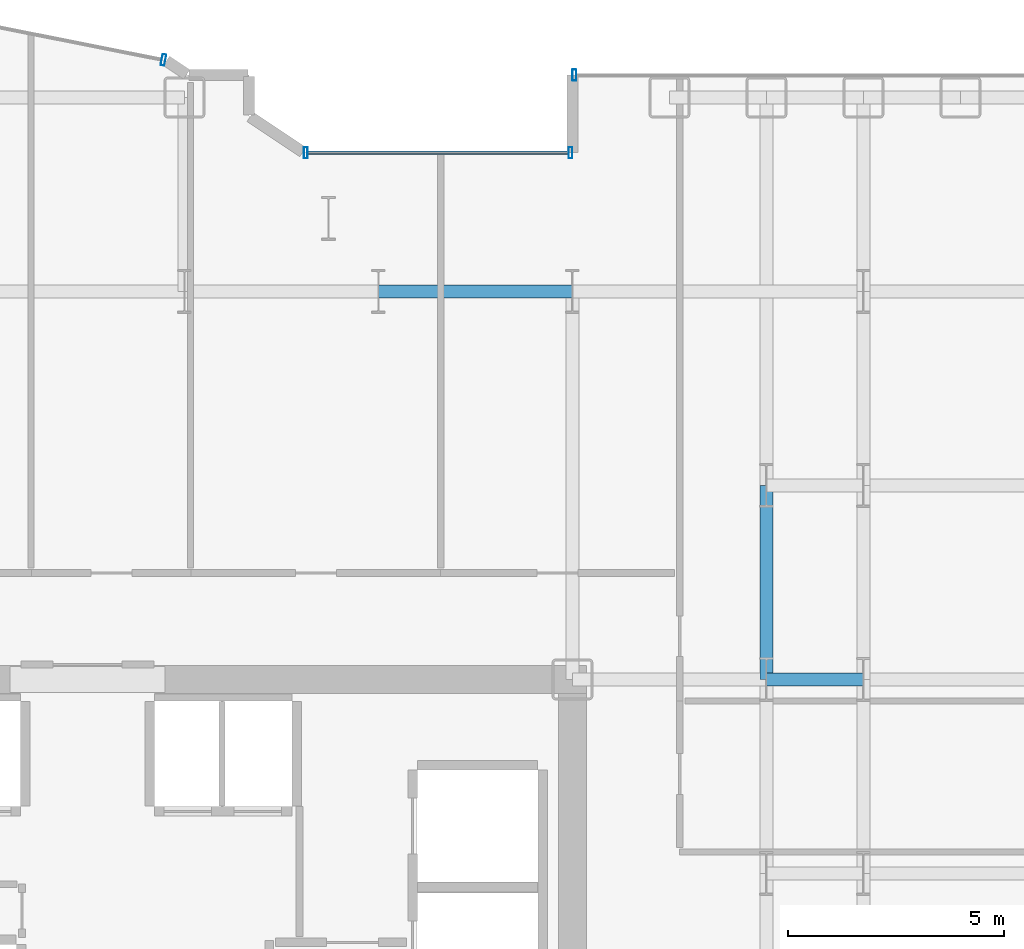
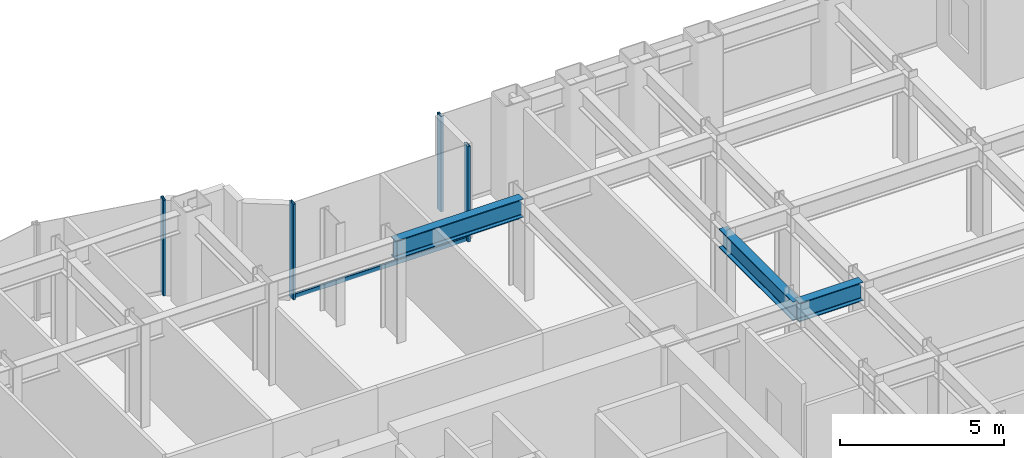
# One storey, part 12 of 26: 5 members, 3 beams, 3 elements without a shape of their own.
"""IFC4 building model written with IfcOpenShell, lengths in metres."""

from ifc_helpers import new_model, si_unit, direction, frame, origin, origin_2d, place, context, subcontext, project, spatial, hollow_rectangle, i_section, extrude, source, transform, mapped, material, layer, layer_set, material_profile, profile_set, type_object, element, aggregate, save


model = new_model("IFC4")

# Units and contexts
model_context = context("Model", 3, precision=1e-05, world=origin(), true_north=direction((0.0, 1.0)))
body_context = subcontext(model_context, "Body", "Model", "MODEL_VIEW")
ifc_project = project(units=[si_unit("LENGTHUNIT", "METRE"), si_unit("AREAUNIT", "SQUARE_METRE"), si_unit("VOLUMEUNIT", "CUBIC_METRE"), si_unit("PLANEANGLEUNIT", "RADIAN"), si_unit("MASSUNIT", "GRAM", prefix="KILO")], contexts=[model_context])

# Site, building, storey
site_placement = place(None, origin())
site = spatial("IfcSite", under=ifc_project, at=site_placement, CompositionType="ELEMENT")
building_placement = place(site_placement, origin())
building = spatial("IfcBuilding", under=site, at=building_placement, Name="Nefas-Gora Pilgrimage Tower", CompositionType="ELEMENT")
storey_placement = place(building_placement, frame((0.0, 0.0, 36.800048828125)))
storey = spatial("IfcBuildingStorey", under=building, at=storey_placement, Name="L07", CompositionType="ELEMENT", Elevation=36.800048828125)

# Beams
ifc_material_1 = material(Name="Steel S355", Category="steel")
ifc_material_profile_1 = material_profile(ifc_material_1, i_section(OverallWidth=0.300048828125, OverallDepth=0.699951171875, WebThickness=0.01708984375, FlangeThickness=0.031982421875, FilletRadius=0.027099609375, at=origin_2d()), Name="HEB 700")
ifc_profile_set_1 = profile_set([ifc_material_profile_1], Name="Steel S355")
beam_type = type_object("IfcBeamType", Name="BM-GIR-HEB700", PredefinedType="BEAM", material=ifc_profile_set_1)
shared_shape_1 = source(origin(), body_context, "Body", "SweptSolid", [
    extrude(i_section(OverallWidth=0.300048828125, OverallDepth=0.699951171875, WebThickness=0.01708984375, FlangeThickness=0.031982421875, FilletRadius=0.027099609375, at=origin_2d()), origin(), (0.0, 0.0, 1.0), 4.5),
])
for number, where, z_axis, x_axis, name in (
    (1, (6.75, 18.0, 3.199951171875), (1.0, 0.0, 0.0), (0.0, 1.0, 0.0), "L07 G-02 beam"),
    (2, (15.75, 9.0, 3.199951171875), (0.0, 1.0, 0.0), (-1.0, 0.0, 0.0), "L07 G-02 beam"),
):
    element("IfcBeam", number, at=place(storey_placement, frame(where, z_axis=z_axis, x_axis=x_axis)), inside=storey, type_object=beam_type, Name=name, PredefinedType="BEAM", context=body_context, shape_type="MappedRepresentation", body=[
        mapped(shared_shape_1, transform((0.0, 0.0, 0.0), x_axis=(1.0, 0.0, 0.0), y_axis=(0.0, 1.0, 0.0), z_axis=(0.0, 0.0, 1.0), scale=1.0)),
    ])
shared_shape_2 = source(origin(), body_context, "Body", "SweptSolid", [
    extrude(i_section(OverallWidth=0.300048828125, OverallDepth=0.699951171875, WebThickness=0.01708984375, FlangeThickness=0.031982421875, FilletRadius=0.027099609375, at=origin_2d()), origin(), (0.0, 0.0, 1.0), 2.25),
])
beam_placement = place(storey_placement, frame((15.75, 9.0, 3.199951171875), z_axis=(1.0, 0.0, 0.0), x_axis=(0.0, 1.0, 0.0)))
element("IfcBeam", 3, at=beam_placement, inside=storey, type_object=beam_type, Name="L07 G-02 beam", PredefinedType="BEAM", context=body_context, shape_type="MappedRepresentation", body=[
    mapped(shared_shape_2, transform((0.0, 0.0, 0.0), x_axis=(1.0, 0.0, 0.0), y_axis=(0.0, 1.0, 0.0), z_axis=(0.0, 0.0, 1.0), scale=1.0)),
])

# Curtain wall, members
ifc_material_2 = material(Name="Dark ceramic-fritted solar-control aluminium-glass curtain wall", Category="aluminium")
ifc_layer_1 = layer(ifc_material_2, 0.219970703125)
ifc_layer_set_1 = layer_set([ifc_layer_1], Name="Dark ceramic-fritted solar-control aluminium-glass curtain wall")
curtain_wall_type_1 = type_object("IfcCurtainWallType", Name="CW-SYS-5", PredefinedType="NOTDEFINED", material=ifc_layer_set_1)
curtain_wall_1_placement = place(storey_placement, origin())
curtain_wall_1 = element("IfcCurtainWall", 4, at=curtain_wall_1_placement, inside=storey, type_object=curtain_wall_type_1, Name="L07 Unitised Curtain Wall CW5", PredefinedType="NOTDEFINED")
ifc_material_3 = material(Name="Anodised architectural aluminium", Category="aluminium")
ifc_material_profile_2 = material_profile(ifc_material_3, hollow_rectangle(XDim=0.090087890625, YDim=0.260009765625, WallThickness=0.006103515625, InnerFilletRadius=0.006103515625, OuterFilletRadius=0.011962890625, at=origin_2d()), Name="ALU MULLION 90x260")
ifc_profile_set_2 = profile_set([ifc_material_profile_2], Name="Anodised architectural aluminium")
member_type_1 = type_object("IfcMemberType", Name="CWM-MUL-5", PredefinedType="MULLION", material=ifc_profile_set_2)
shared_shape_3 = source(origin(), body_context, "Body", "SweptSolid", [
    extrude(hollow_rectangle(XDim=0.090087890625, YDim=0.260009765625, WallThickness=0.006103515625, InnerFilletRadius=0.006103515625, OuterFilletRadius=0.011962890625, at=origin_2d()), origin(), (0.0, 0.0, 1.0), 3.550048828125),
])
member_1_placement = place(storey_placement, frame((11.205078125, 21.219970703125, 0.0), z_axis=(0.0, 0.0, 1.0), x_axis=(-1.0, 0.0, 0.0)))
member_1 = element("IfcMember", 5, at=member_1_placement, type_object=member_type_1, Name="CW5 Mullion 1", PredefinedType="MULLION", context=body_context, shape_type="MappedRepresentation", body=[
    mapped(shared_shape_3, transform((0.0, 0.0, 0.0), x_axis=(1.0, 0.0, 0.0), y_axis=(0.0, 1.0, 0.0), z_axis=(0.0, 0.0, 1.0), scale=1.0)),
])
member_2_placement = place(storey_placement, frame((5.06298828125, 21.219970703125, 0.0), z_axis=(0.0, 0.0, 1.0), x_axis=(-1.0, 0.0, 0.0)))
member_2 = element("IfcMember", 6, at=member_2_placement, type_object=member_type_1, Name="CW5 Mullion 2", PredefinedType="MULLION", context=body_context, shape_type="MappedRepresentation", body=[
    mapped(shared_shape_3, transform((0.0, 0.0, 0.0), x_axis=(1.0, 0.0, 0.0), y_axis=(0.0, 1.0, 0.0), z_axis=(0.0, 0.0, 1.0), scale=1.0)),
])

# Curtain wall, member
curtain_wall_2_placement = place(storey_placement, origin())
curtain_wall_2 = element("IfcCurtainWall", 7, at=curtain_wall_2_placement, inside=storey, type_object=curtain_wall_type_1, Name="L07 Unitised Curtain Wall CW5", PredefinedType="NOTDEFINED")
member_3_placement = place(storey_placement, frame((1.76318359375, 23.3740234375, 0.0), z_axis=(0.0, 0.0, 1.0), x_axis=(-0.980782896852, 0.195102304554, 0.0)))
member_3 = element("IfcMember", 8, at=member_3_placement, type_object=member_type_1, Name="CW5 Mullion 1", PredefinedType="MULLION", context=body_context, shape_type="MappedRepresentation", body=[
    mapped(shared_shape_3, transform((0.0, 0.0, 0.0), x_axis=(1.0, 0.0, 0.0), y_axis=(0.0, 1.0, 0.0), z_axis=(0.0, 0.0, 1.0), scale=1.0)),
])
aggregate(curtain_wall_2, [member_3])

# Member
ifc_material_profile_3 = material_profile(ifc_material_3, hollow_rectangle(XDim=0.080078125, YDim=0.159912109375, WallThickness=0.00439453125, InnerFilletRadius=0.00439453125, OuterFilletRadius=0.009033203125, at=origin_2d()), Name="ALU TRANSOM 80x160")
ifc_profile_set_3 = profile_set([ifc_material_profile_3], Name="Anodised architectural aluminium")
member_type_2 = type_object("IfcMemberType", Name="CWM-TRN-5", PredefinedType="USERDEFINED", material=ifc_profile_set_3)
shared_shape_4 = source(origin(), body_context, "Body", "SweptSolid", [
    extrude(hollow_rectangle(XDim=0.080078125, YDim=0.159912109375, WallThickness=0.00439453125, InnerFilletRadius=0.00439453125, OuterFilletRadius=0.009033203125, at=origin_2d()), origin(), (0.0, 0.0, 1.0), 6.052001953125),
])
member_4_placement = place(storey_placement, frame((11.159912109375, 21.219970703125, 0.050048828125), z_axis=(-1.0, 0.0, 0.0), x_axis=(0.0, -1.0, 0.0)))
member_4 = element("IfcMember", 9, at=member_4_placement, type_object=member_type_2, Name="CW5 Spandrel Transom", ObjectType="TRANSOM", PredefinedType="USERDEFINED", context=body_context, shape_type="MappedRepresentation", body=[
    mapped(shared_shape_4, transform((0.0, 0.0, 0.0), x_axis=(1.0, 0.0, 0.0), y_axis=(0.0, 1.0, 0.0), z_axis=(0.0, 0.0, 1.0), scale=1.0)),
])

aggregate(curtain_wall_1, [member_1, member_2, member_4])

# Curtain wall, member
ifc_layer_2 = layer(ifc_material_2, 0.219970703125)
ifc_layer_set_2 = layer_set([ifc_layer_2], Name="Dark ceramic-fritted solar-control aluminium-glass curtain wall")
curtain_wall_type_2 = type_object("IfcCurtainWallType", Name="CW-SYS-2", PredefinedType="NOTDEFINED", material=ifc_layer_set_2)
curtain_wall_3_placement = place(storey_placement, origin())
curtain_wall_3 = element("IfcCurtainWall", 10, at=curtain_wall_3_placement, inside=storey, type_object=curtain_wall_type_2, Name="L07 Unitised Curtain Wall CW2", PredefinedType="NOTDEFINED")
ifc_material_profile_4 = material_profile(ifc_material_3, hollow_rectangle(XDim=0.090087890625, YDim=0.260009765625, WallThickness=0.006103515625, InnerFilletRadius=0.006103515625, OuterFilletRadius=0.011962890625, at=origin_2d()), Name="ALU MULLION 90x260")
ifc_profile_set_4 = profile_set([ifc_material_profile_4], Name="Anodised architectural aluminium")
member_type_3 = type_object("IfcMemberType", Name="CWM-MUL-2", PredefinedType="MULLION", material=ifc_profile_set_4)
shared_shape_5 = source(origin(), body_context, "Body", "SweptSolid", [
    extrude(hollow_rectangle(XDim=0.090087890625, YDim=0.260009765625, WallThickness=0.006103515625, InnerFilletRadius=0.006103515625, OuterFilletRadius=0.011962890625, at=origin_2d()), origin(), (0.0, 0.0, 1.0), 3.550048828125),
])
member_5_placement = place(storey_placement, frame((11.294921875, 23.02001953125, 0.0), z_axis=(0.0, 0.0, 1.0), x_axis=(-1.0, 0.0, 0.0)))
member_5 = element("IfcMember", 11, at=member_5_placement, type_object=member_type_3, Name="CW2 Mullion 2", PredefinedType="MULLION", context=body_context, shape_type="MappedRepresentation", body=[
    mapped(shared_shape_5, transform((0.0, 0.0, 0.0), x_axis=(1.0, 0.0, 0.0), y_axis=(0.0, 1.0, 0.0), z_axis=(0.0, 0.0, 1.0), scale=1.0)),
])
aggregate(curtain_wall_3, [member_5])

save(model, "model.ifc")
